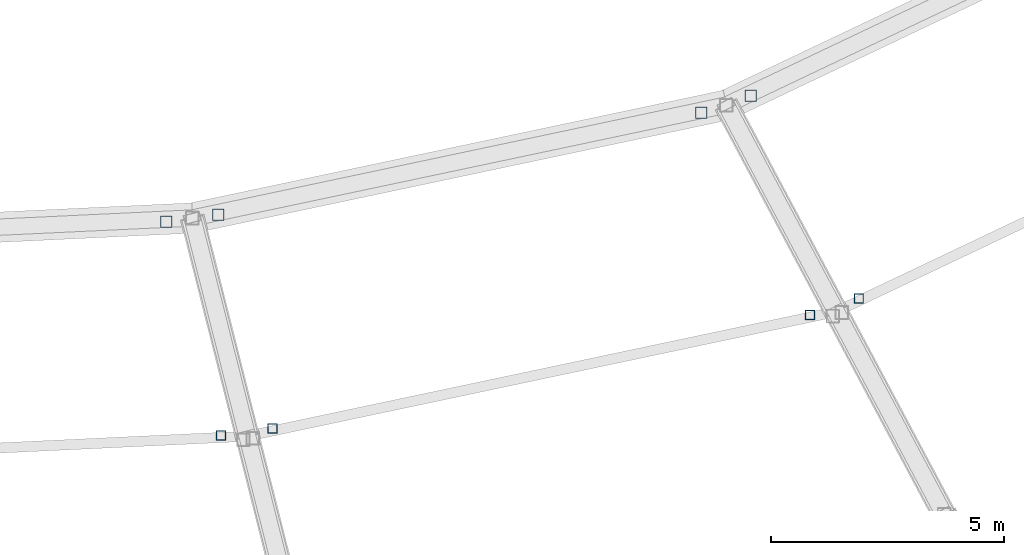
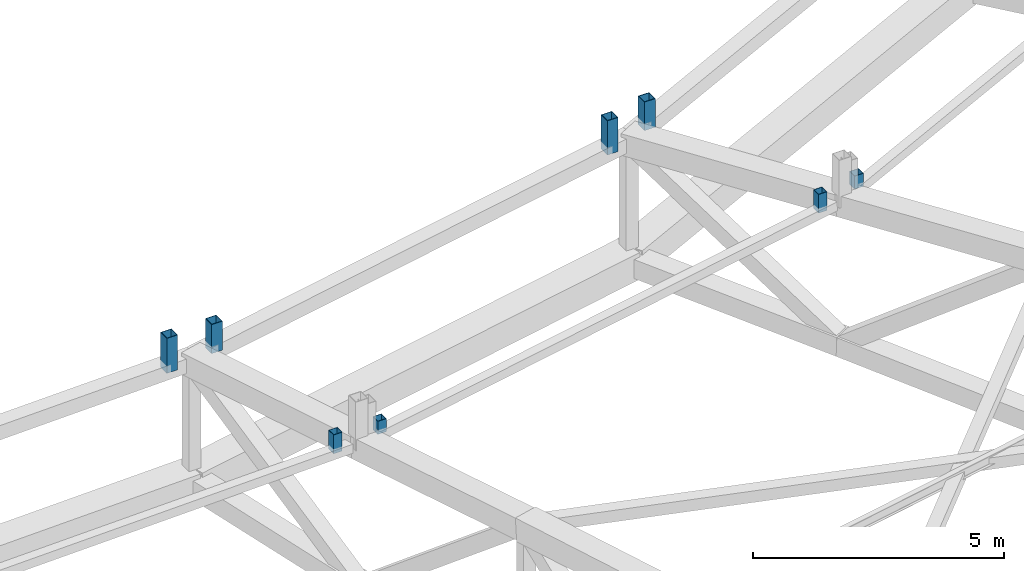
# One storey, part 103 of 162: 8 members.
"""IFC4 building model written with IfcOpenShell, lengths in metres."""

from ifc_helpers import new_model, si_unit, direction, frame, origin, origin_2d, place, context, subcontext, project, spatial, hollow_rectangle, extrude, material, material_profile, profile_set, type_object, element, save


model = new_model("IFC4")

# Units and contexts
model_context = context("Model", 3, precision=1e-05, world=origin(), true_north=direction((0.0, 1.0)))
body_context = subcontext(model_context, "Body", "Model", "MODEL_VIEW")
ifc_project = project(units=[si_unit("LENGTHUNIT", "METRE"), si_unit("AREAUNIT", "SQUARE_METRE"), si_unit("VOLUMEUNIT", "CUBIC_METRE"), si_unit("PLANEANGLEUNIT", "RADIAN"), si_unit("MASSUNIT", "GRAM", prefix="KILO")], contexts=[model_context])

# Site, building, storey
site_placement = place(None, origin())
site = spatial("IfcSite", under=ifc_project, at=site_placement, CompositionType="ELEMENT")
building_placement = place(site_placement, origin())
building = spatial("IfcBuilding", under=site, at=building_placement, Name="Kazemori Nagisa Stadium", CompositionType="ELEMENT")
storey_placement = place(building_placement, frame((0.0, 0.0, 36.719970703125)))
storey = spatial("IfcBuildingStorey", under=building, at=storey_placement, Name="RF", CompositionType="ELEMENT", Elevation=36.719970703125)

# Members
ifc_material = material(Name="Steel STKR490", Category="steel")
ifc_material_profile_1 = material_profile(ifc_material, hollow_rectangle(XDim=0.25, YDim=0.25, WallThickness=0.011962890625, at=origin_2d()), Name="SHS-250x250x12")
ifc_profile_set_1 = profile_set([ifc_material_profile_1], Name="Steel STKR490")
member_type_1 = type_object("IfcMemberType", Name="Member_ST-SHS250", PredefinedType="STUD", material=ifc_profile_set_1)
member_1_placement = place(storey_placement, frame((133.907958984375, 56.455322265625, 4.845947265625), z_axis=(0.0, 0.0, 1.0), x_axis=(1.0, 0.0, 0.0)))
element("IfcMember", 1, at=member_1_placement, inside=storey, type_object=member_type_1, Name="Oculus skylight bearing stool B22-2", PredefinedType="STUD", context=body_context, shape_type="SweptSolid", body=[
    extrude(hollow_rectangle(XDim=0.25, YDim=0.25, WallThickness=0.011962890625, at=origin_2d()), origin(), (0.0, 0.0, 1.0), 0.84912109375),
])
member_2_placement = place(storey_placement, frame((135.02197265625, 56.60302734375, 4.845947265625), z_axis=(0.0, 0.0, 1.0), x_axis=(1.0, 0.0, 0.0)))
element("IfcMember", 2, at=member_2_placement, inside=storey, type_object=member_type_1, Name="Oculus skylight bearing stool B23-1", PredefinedType="STUD", context=body_context, shape_type="SweptSolid", body=[
    extrude(hollow_rectangle(XDim=0.25, YDim=0.25, WallThickness=0.011962890625, at=origin_2d()), origin(), (0.0, 0.0, 1.0), 0.7041015625),
])
member_3_placement = place(storey_placement, frame((145.365234375, 58.78515625, 4.719970703125), z_axis=(0.0, 0.0, 1.0), x_axis=(1.0, 0.0, 0.0)))
element("IfcMember", 3, at=member_3_placement, inside=storey, type_object=member_type_1, Name="Oculus skylight bearing stool B23-2", PredefinedType="STUD", context=body_context, shape_type="SweptSolid", body=[
    extrude(hollow_rectangle(XDim=0.25, YDim=0.25, WallThickness=0.011962890625, at=origin_2d()), origin(), (0.0, 0.0, 1.0), 0.830078125),
])
member_4_placement = place(storey_placement, frame((146.427001953125, 59.149169921875, 4.719970703125), z_axis=(0.0, 0.0, 1.0), x_axis=(1.0, 0.0, 0.0)))
element("IfcMember", 4, at=member_4_placement, inside=storey, type_object=member_type_1, Name="Oculus skylight bearing stool B24-1", PredefinedType="STUD", context=body_context, shape_type="SweptSolid", body=[
    extrude(hollow_rectangle(XDim=0.25, YDim=0.25, WallThickness=0.011962890625, at=origin_2d()), origin(), (0.0, 0.0, 1.0), 0.693115234375),
])
ifc_material_profile_2 = material_profile(ifc_material, hollow_rectangle(XDim=0.199951171875, YDim=0.199951171875, WallThickness=0.009033203125, at=origin_2d()), Name="SHS-200x200x9")
ifc_profile_set_2 = profile_set([ifc_material_profile_2], Name="Steel STKR490")
member_type_2 = type_object("IfcMemberType", Name="Member_TS-SHS200", PredefinedType="STRUT", material=ifc_profile_set_2)
member_5_placement = place(storey_placement, frame((135.0791015625, 51.874755859375, 5.235107421875), z_axis=(0.0, 0.0, 1.0), x_axis=(1.0, 0.0, 0.0)))
element("IfcMember", 5, at=member_5_placement, inside=storey, type_object=member_type_2, Name="Oculus skylight bearing stool B22-3", PredefinedType="STRUT", context=body_context, shape_type="SweptSolid", body=[
    extrude(hollow_rectangle(XDim=0.199951171875, YDim=0.199951171875, WallThickness=0.009033203125, at=origin_2d()), origin(), (0.0, 0.0, 1.0), 0.4599609375),
])
member_6_placement = place(storey_placement, frame((147.69580078125, 54.451171875, 5.09814453125), z_axis=(0.0, 0.0, 1.0), x_axis=(1.0, 0.0, 0.0)))
element("IfcMember", 6, at=member_6_placement, inside=storey, type_object=member_type_2, Name="Oculus skylight bearing stool B23-3", PredefinedType="STRUT", context=body_context, shape_type="SweptSolid", body=[
    extrude(hollow_rectangle(XDim=0.199951171875, YDim=0.199951171875, WallThickness=0.009033203125, at=origin_2d()), origin(), (0.0, 0.0, 1.0), 0.451904296875),
])
for number, where, z_axis, x_axis, name in (
    (7, (136.1806640625, 52.02001953125, 5.235107421875), (0.0, 0.0, 1.0), (1.0, 0.0, 0.0), "Oculus skylight bearing stool B23-4"),
    (8, (148.7392578125, 54.810546875, 5.09814453125), (0.0, 0.0, 1.0), (1.0, 0.0, 0.0), "Oculus skylight bearing stool B24-4"),
):
    element("IfcMember", number, at=place(storey_placement, frame(where, z_axis=z_axis, x_axis=x_axis)), inside=storey, type_object=member_type_2, Name=name, PredefinedType="STRUT", context=body_context, shape_type="SweptSolid", body=[
        extrude(hollow_rectangle(XDim=0.199951171875, YDim=0.199951171875, WallThickness=0.009033203125, at=origin_2d()), origin(), (0.0, 0.0, 1.0), 0.31494140625),
    ])

save(model, "model.ifc")
